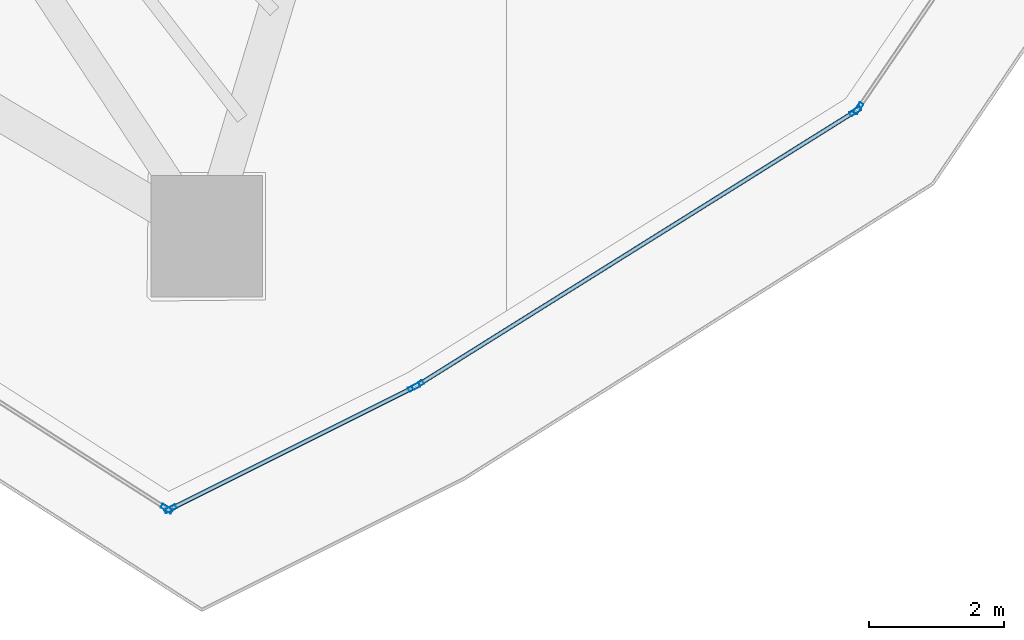
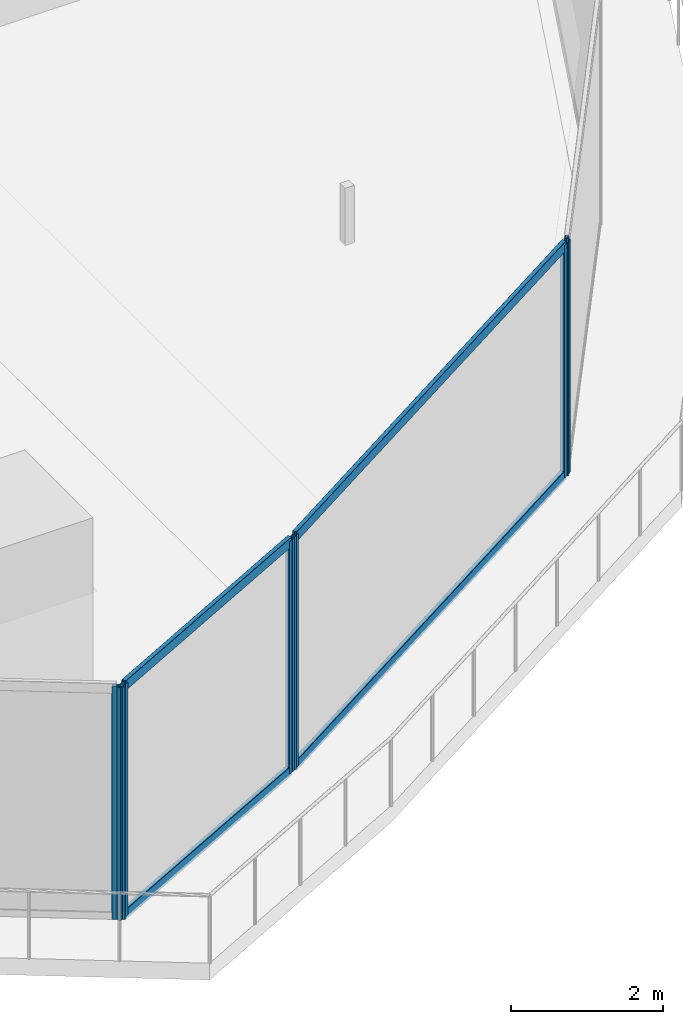
# One storey, part 10 of 34: 10 members, 4 elements without a shape of their own.
"""IFC4 building model written with IfcOpenShell, lengths in metres."""

from ifc_helpers import new_model, si_unit, direction, frame, origin, origin_2d, place, context, subcontext, project, spatial, hollow_rectangle, extrude, material, layer, layer_set, material_profile, profile_set, type_object, element, aggregate, save


model = new_model("IFC4")

# Units and contexts
model_context = context("Model", 3, precision=1e-05, world=origin(), true_north=direction((0.0, 1.0)))
body_context = subcontext(model_context, "Body", "Model", "MODEL_VIEW")
ifc_project = project(units=[si_unit("LENGTHUNIT", "METRE"), si_unit("AREAUNIT", "SQUARE_METRE"), si_unit("VOLUMEUNIT", "CUBIC_METRE"), si_unit("PLANEANGLEUNIT", "RADIAN"), si_unit("MASSUNIT", "GRAM", prefix="KILO")], contexts=[model_context])

# Site, building, storey
site_placement = place(None, origin())
site = spatial("IfcSite", under=ifc_project, at=site_placement, CompositionType="ELEMENT")
building_placement = place(site_placement, origin())
building = spatial("IfcBuilding", under=site, at=building_placement, Name="Qorvath Tower", CompositionType="ELEMENT")
storey_placement = place(building_placement, frame((0.0, 0.0, 245.550048828125)))
storey = spatial("IfcBuildingStorey", under=building, at=storey_placement, Name="L57", CompositionType="ELEMENT", Elevation=245.550048828125)

# Curtain wall, member
ifc_material_1 = material(Name="Anodised aluminium and triple low-E glass", Category="aluminium")
ifc_layer = layer(ifc_material_1, 0.179931640625)
ifc_layer_set = layer_set([ifc_layer], Name="CW-SYS-3")
curtain_wall_type = type_object("IfcCurtainWallType", Name="CW-SYS-3", PredefinedType="NOTDEFINED", material=ifc_layer_set)
curtain_wall_1_placement = place(storey_placement, origin())
curtain_wall_1 = element("IfcCurtainWall", 1, at=curtain_wall_1_placement, inside=storey, type_object=curtain_wall_type, Name="Curtain Wall CW-3 CW-T-L57-2.2", PredefinedType="NOTDEFINED")
ifc_material_2 = material(Name="Anodised aluminium 6063-T6", Category="aluminium")
ifc_material_profile_1 = material_profile(ifc_material_2, hollow_rectangle(XDim=0.06494140625, YDim=0.179931640625, WallThickness=0.00341796875, InnerFilletRadius=0.00341796875, OuterFilletRadius=0.007080078125, at=origin_2d()), Name="CWM 180x65")
ifc_profile_set_1 = profile_set([ifc_material_profile_1], Name="Anodised aluminium 6063-T6")
member_type_1 = type_object("IfcMemberType", Name="CWM-180", PredefinedType="MULLION", material=ifc_profile_set_1)
member_1_placement = place(storey_placement, frame((-17.466064453125, -25.666259765625, 0.0), z_axis=(0.0, 0.0, 1.0), x_axis=(0.538530320734, 0.84260613198, 0.0)))
member_1 = element("IfcMember", 2, at=member_1_placement, type_object=member_type_1, Name="CW-3 mullion 5", PredefinedType="MULLION", context=body_context, shape_type="SweptSolid", body=[
    extrude(hollow_rectangle(XDim=0.06494140625, YDim=0.179931640625, WallThickness=0.00341796875, InnerFilletRadius=0.00341796875, OuterFilletRadius=0.007080078125, at=origin_2d()), origin(), (0.0, 0.0, 1.0), 3.75),
])
aggregate(curtain_wall_1, [member_1])

# Curtain wall, members
curtain_wall_2_placement = place(storey_placement, origin())
curtain_wall_2 = element("IfcCurtainWall", 3, at=curtain_wall_2_placement, inside=storey, type_object=curtain_wall_type, Name="Curtain Wall CW-3 CW-T-L57-3.1", PredefinedType="NOTDEFINED")
member_2_placement = place(storey_placement, frame((-17.40966796875, -25.669189453125, 0.0), z_axis=(0.0, 0.0, 1.0), x_axis=(-0.447174591616, 0.894446691879, 0.0)))
member_2 = element("IfcMember", 4, at=member_2_placement, type_object=member_type_1, Name="CW-3 mullion 1", PredefinedType="MULLION", context=body_context, shape_type="SweptSolid", body=[
    extrude(hollow_rectangle(XDim=0.06494140625, YDim=0.179931640625, WallThickness=0.00341796875, InnerFilletRadius=0.00341796875, OuterFilletRadius=0.007080078125, at=origin_2d()), origin(), (0.0, 0.0, 1.0), 3.75),
])
member_3_placement = place(storey_placement, frame((-13.798583984375, -23.864013671875, 0.0), z_axis=(0.0, 0.0, 1.0), x_axis=(-0.447174591616, 0.894446691879, 0.0)))
member_3 = element("IfcMember", 5, at=member_3_placement, type_object=member_type_1, Name="CW-3 mullion 2", PredefinedType="MULLION", context=body_context, shape_type="SweptSolid", body=[
    extrude(hollow_rectangle(XDim=0.06494140625, YDim=0.179931640625, WallThickness=0.00341796875, InnerFilletRadius=0.00341796875, OuterFilletRadius=0.007080078125, at=origin_2d()), origin(), (0.0, 0.0, 1.0), 3.75),
])

curtain_wall_3_placement = place(storey_placement, origin())
curtain_wall_3 = element("IfcCurtainWall", 6, at=curtain_wall_3_placement, inside=storey, type_object=curtain_wall_type, Name="Curtain Wall CW-3 CW-T-L57-4.1", PredefinedType="NOTDEFINED")
member_4_placement = place(storey_placement, frame((-13.741943359375, -23.832275390625, 0.0), z_axis=(0.0, 0.0, 1.0), x_axis=(-0.530487138359, 0.847692984538, 0.0)))
member_4 = element("IfcMember", 7, at=member_4_placement, type_object=member_type_1, Name="CW-3 mullion 1", PredefinedType="MULLION", context=body_context, shape_type="SweptSolid", body=[
    extrude(hollow_rectangle(XDim=0.06494140625, YDim=0.179931640625, WallThickness=0.00341796875, InnerFilletRadius=0.00341796875, OuterFilletRadius=0.007080078125, at=origin_2d()), origin(), (0.0, 0.0, 1.0), 3.75),
])
member_5_placement = place(storey_placement, frame((-7.258544921875, -19.77490234375, 0.0), z_axis=(0.0, 0.0, 1.0), x_axis=(-0.530487138359, 0.847692984538, 0.0)))
member_5 = element("IfcMember", 8, at=member_5_placement, type_object=member_type_1, Name="CW-3 mullion 2", PredefinedType="MULLION", context=body_context, shape_type="SweptSolid", body=[
    extrude(hollow_rectangle(XDim=0.06494140625, YDim=0.179931640625, WallThickness=0.00341796875, InnerFilletRadius=0.00341796875, OuterFilletRadius=0.007080078125, at=origin_2d()), origin(), (0.0, 0.0, 1.0), 3.75),
])

# Curtain wall, member
curtain_wall_4_placement = place(storey_placement, origin())
curtain_wall_4 = element("IfcCurtainWall", 9, at=curtain_wall_4_placement, inside=storey, type_object=curtain_wall_type, Name="Curtain Wall CW-3 CW-T-L57-5.1", PredefinedType="NOTDEFINED")
member_6_placement = place(storey_placement, frame((-7.212646484375, -19.730712890625, 0.0), z_axis=(0.0, 0.0, 1.0), x_axis=(-0.826431361544, 0.563037480685, 0.0)))
member_6 = element("IfcMember", 10, at=member_6_placement, type_object=member_type_1, Name="CW-3 mullion 1", PredefinedType="MULLION", context=body_context, shape_type="SweptSolid", body=[
    extrude(hollow_rectangle(XDim=0.06494140625, YDim=0.179931640625, WallThickness=0.00341796875, InnerFilletRadius=0.00341796875, OuterFilletRadius=0.007080078125, at=origin_2d()), origin(), (0.0, 0.0, 1.0), 3.75),
])
aggregate(curtain_wall_4, [member_6])

# Member
ifc_material_3 = material(Name="Anodised aluminium 6063-T6", Category="aluminium")
ifc_material_profile_2 = material_profile(ifc_material_3, hollow_rectangle(XDim=0.06494140625, YDim=0.159912109375, WallThickness=0.00341796875, InnerFilletRadius=0.00341796875, OuterFilletRadius=0.007080078125, at=origin_2d()), Name="CWT 160x65")
ifc_profile_set_2 = profile_set([ifc_material_profile_2], Name="Anodised aluminium 6063-T6")
member_type_2 = type_object("IfcMemberType", Name="CWT-160", PredefinedType="USERDEFINED", material=ifc_profile_set_2)
member_7_placement = place(storey_placement, frame((-17.380615234375, -25.65478515625, 0.032470703125), z_axis=(0.894439482828, 0.447189010998, 0.0), x_axis=(-0.447189010998, 0.894439482828, 0.0)))
member_7 = element("IfcMember", 11, at=member_7_placement, type_object=member_type_2, Name="CW-3 transom 1.1", ObjectType="TRANSOM", PredefinedType="USERDEFINED", context=body_context, shape_type="SweptSolid", body=[
    extrude(hollow_rectangle(XDim=0.06494140625, YDim=0.159912109375, WallThickness=0.00341796875, InnerFilletRadius=0.00341796875, OuterFilletRadius=0.007080078125, at=origin_2d()), origin(), (0.0, 0.0, 1.0), 3.972412109375),
])

member_8_placement = place(storey_placement, frame((-17.380615234375, -25.65478515625, 3.717529296875), z_axis=(0.894439482828, 0.447189010998, 0.0), x_axis=(-0.447189010998, 0.894439482828, 0.0)))
member_8 = element("IfcMember", 12, at=member_8_placement, type_object=member_type_2, Name="CW-3 transom 1.2", ObjectType="TRANSOM", PredefinedType="USERDEFINED", context=body_context, shape_type="SweptSolid", body=[
    extrude(hollow_rectangle(XDim=0.06494140625, YDim=0.159912109375, WallThickness=0.00341796875, InnerFilletRadius=0.00341796875, OuterFilletRadius=0.007080078125, at=origin_2d()), origin(), (0.0, 0.0, 1.0), 3.972412109375),
])

aggregate(curtain_wall_2, [member_2, member_3, member_7, member_8])

member_9_placement = place(storey_placement, frame((-13.71435546875, -23.81494140625, 0.032470703125), z_axis=(0.847683443386, 0.530502384357, 0.0), x_axis=(-0.530502384357, 0.847683443386, 0.0)))
member_9 = element("IfcMember", 13, at=member_9_placement, type_object=member_type_2, Name="CW-3 transom 1.1", ObjectType="TRANSOM", PredefinedType="USERDEFINED", context=body_context, shape_type="SweptSolid", body=[
    extrude(hollow_rectangle(XDim=0.06494140625, YDim=0.159912109375, WallThickness=0.00341796875, InnerFilletRadius=0.00341796875, OuterFilletRadius=0.007080078125, at=origin_2d()), origin(), (0.0, 0.0, 1.0), 7.583251953125),
])

member_10_placement = place(storey_placement, frame((-13.71435546875, -23.81494140625, 3.717529296875), z_axis=(0.847683443386, 0.530502384357, 0.0), x_axis=(-0.530502384357, 0.847683443386, 0.0)))
member_10 = element("IfcMember", 14, at=member_10_placement, type_object=member_type_2, Name="CW-3 transom 1.2", ObjectType="TRANSOM", PredefinedType="USERDEFINED", context=body_context, shape_type="SweptSolid", body=[
    extrude(hollow_rectangle(XDim=0.06494140625, YDim=0.159912109375, WallThickness=0.00341796875, InnerFilletRadius=0.00341796875, OuterFilletRadius=0.007080078125, at=origin_2d()), origin(), (0.0, 0.0, 1.0), 7.583251953125),
])

aggregate(curtain_wall_3, [member_4, member_5, member_9, member_10])

save(model, "model.ifc")
